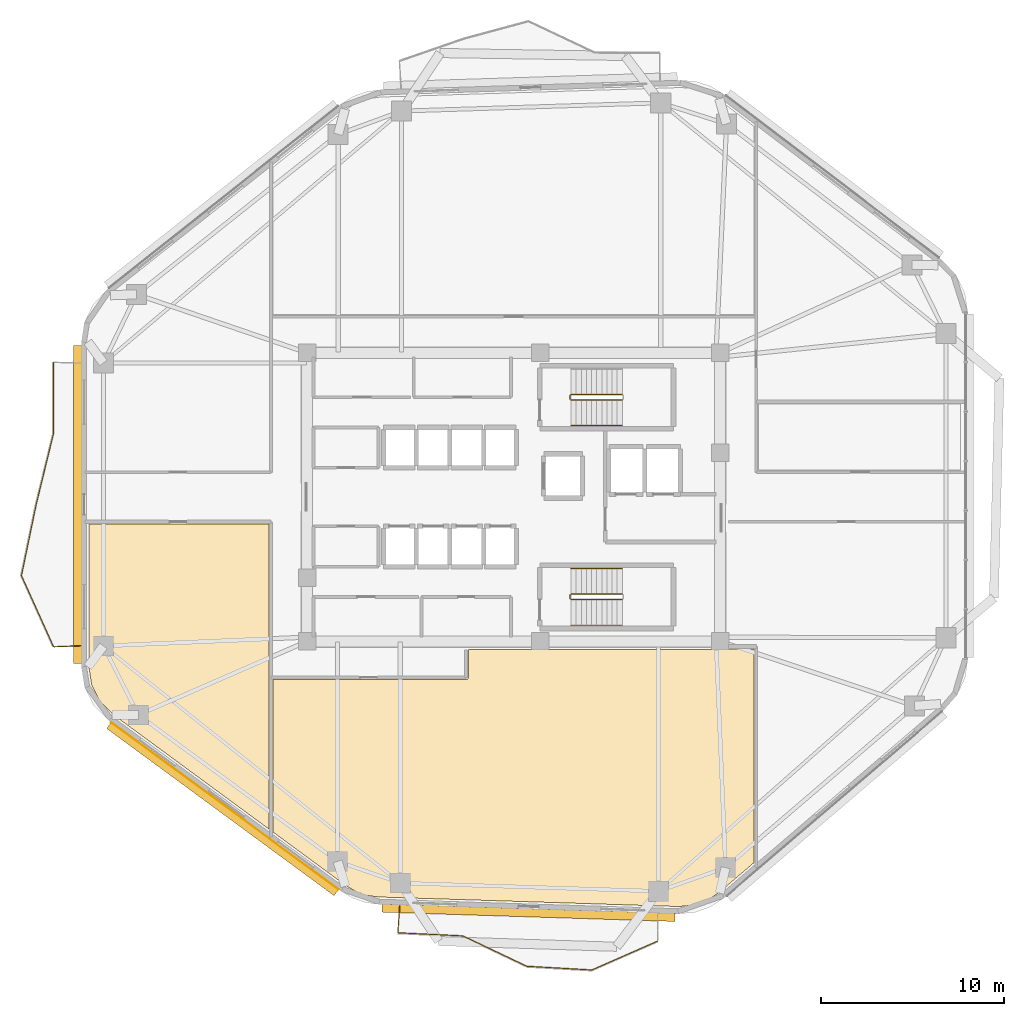
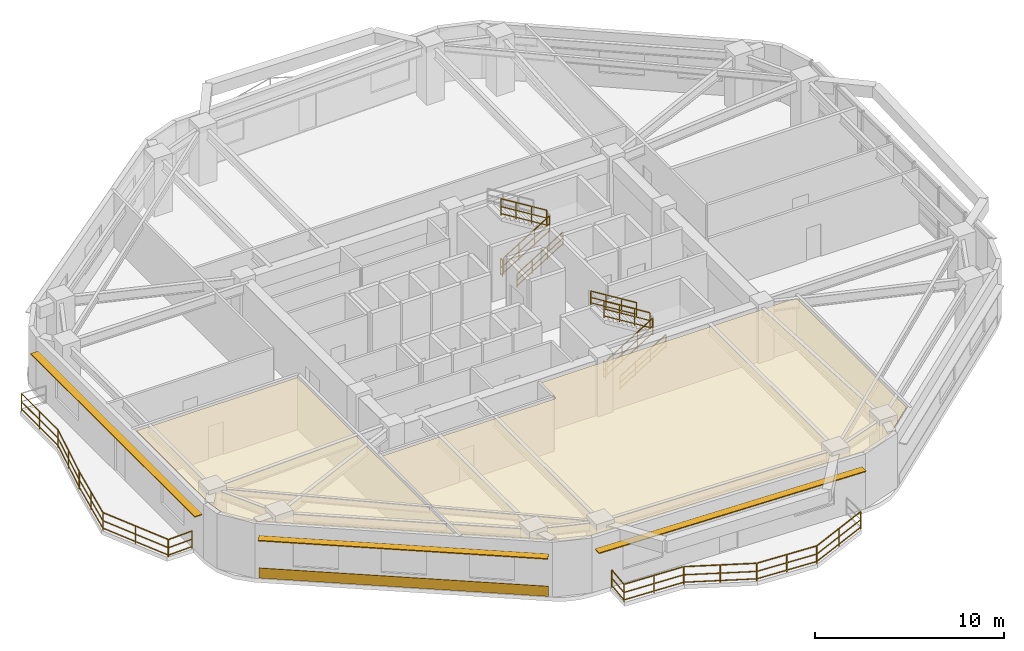
# One storey, part 11 of 13: 19 railings, 3 coverings, 3 shading devices.
"""IFC4 building model written with IfcOpenShell, lengths in metres."""

from ifc_helpers import new_model, si_unit, direction, frame, origin, origin_2d, place, context, subcontext, project, spatial, polyline, rectangle, outline, extrude, material, layer, layer_set, type_object, element, save


model = new_model("IFC4")

# Units and contexts
model_context = context("Model", 3, precision=1e-05, world=origin(), true_north=direction((0.0, 1.0)))
body_context = subcontext(model_context, "Body", "Model", "MODEL_VIEW")
ifc_project = project(units=[si_unit("LENGTHUNIT", "METRE"), si_unit("AREAUNIT", "SQUARE_METRE"), si_unit("VOLUMEUNIT", "CUBIC_METRE"), si_unit("PLANEANGLEUNIT", "RADIAN"), si_unit("MASSUNIT", "GRAM", prefix="KILO")], contexts=[model_context])

# Site, building, storey
site_placement = place(None, origin())
site = spatial("IfcSite", under=ifc_project, at=site_placement, CompositionType="ELEMENT")
building_placement = place(site_placement, origin())
building = spatial("IfcBuilding", under=site, at=building_placement, Name="Zulverin Broadcast Headquarters", CompositionType="ELEMENT")
storey_placement = place(building_placement, frame((0.0, 0.0, 155.39990234375)))
storey = spatial("IfcBuildingStorey", under=building, at=storey_placement, Name="L39", CompositionType="ELEMENT", Elevation=155.39990234375)

# Coverings
ifc_material_1 = material(Name="Perforated pale-metal acoustic baffle ceiling", Category="aluminium")
ifc_layer_1 = layer(ifc_material_1, 0.0400390625, Name="Perforated pale-metal acoustic baffle ceiling", Category="aluminium")
ifc_layer_set_1 = layer_set([ifc_layer_1], Name="Perforated pale-metal acoustic baffle ceiling")
covering_type_1 = type_object("IfcCoveringType", Name="COV-CEIL-ACOU", PredefinedType="CEILING", material=ifc_layer_set_1)
covering_1_placement = place(storey_placement, frame((0.0, 0.0, 3.360107421875)))
element("IfcCovering", 1, at=covering_1_placement, inside=storey, type_object=covering_type_1, Name="L39 Acoustic Baffle Ceiling 02", PredefinedType="CEILING", context=body_context, shape_type="SweptSolid", body=[
    extrude(outline(polyline([(48.6240234375, 16.884033203125), (48.612060546875, 16.8798828125), (48.60009765625, 16.8798828125), (34.52001953125, 16.8798828125), (34.52001953125, 15.35205078125), (34.52001953125, 15.340087890625), (34.51611328125, 15.327880859375), (34.51611328125, 15.31591796875), (34.511962890625, 15.30810546875), (34.50390625, 15.2958984375), (34.5, 15.283935546875), (34.491943359375, 15.27587890625), (34.48388671875, 15.26806640625), (34.47607421875, 15.260009765625), (34.468017578125, 15.251953125), (34.4560546875, 15.248046875), (34.444091796875, 15.239990234375), (34.43603515625, 15.236083984375), (34.424072265625, 15.236083984375), (34.412109375, 15.23193359375), (34.39990234375, 15.23193359375), (23.8720703125, 15.23193359375), (23.8720703125, 6.89990234375), (27.823974609375, 3.99609375), (28.39599609375, 3.659912109375), (29.0, 3.447998046875), (29.652099609375, 3.364013671875), (46.008056640625, 2.843994140625), (46.820068359375, 2.919921875), (47.56005859375, 3.179931640625), (48.236083984375, 3.6279296875), (50.132080078125, 5.251953125), (50.132080078125, 16.89990234375), (48.66796875, 16.89990234375), (48.656005859375, 16.89599609375), (48.64404296875, 16.887939453125), (48.635986328125, 16.884033203125), (48.6240234375, 16.884033203125)])), origin(), (0.0, 0.0, 1.0), 0.0400390625),
])
covering_2_placement = place(storey_placement, frame((0.0, 0.0, 3.360107421875)))
element("IfcCovering", 2, at=covering_2_placement, inside=storey, type_object=covering_type_1, Name="L39 Acoustic Baffle Ceiling 03", PredefinedType="CEILING", context=body_context, shape_type="SweptSolid", body=[
    extrude(outline(polyline([(14.407958984375, 14.055908203125), (15.132080078125, 13.323974609375), (23.632080078125, 7.075927734375), (23.632080078125, 23.73193359375), (13.800048828125, 23.73193359375), (13.800048828125, 15.951904296875), (13.9599609375, 14.93994140625), (14.407958984375, 14.055908203125)])), origin(), (0.0, 0.0, 1.0), 0.0400390625),
])
ifc_material_2 = material(Name="Brushed pale-aluminium rainscreen cladding", Category="aluminium")
ifc_layer_2 = layer(ifc_material_2, 0.0400390625, Name="Brushed pale-aluminium rainscreen cladding", Category="aluminium")
ifc_layer_set_2 = layer_set([ifc_layer_2], Name="Brushed pale-aluminium rainscreen cladding")
covering_type_2 = type_object("IfcCoveringType", Name="COV-CLAD-PALE", PredefinedType="CLADDING", material=ifc_layer_set_2)
covering_3_placement = place(storey_placement, frame((21.229736328125, 8.33349609375, 0.05517578125), z_axis=(0.0, 0.0, 1.0), x_axis=(0.805802206513, -0.592184771822, 0.0)))
element("IfcCovering", 3, at=covering_3_placement, inside=storey, type_object=covering_type_2, Name="L39 Brushed Pale-Aluminium Spandrel Cladding 8", PredefinedType="CLADDING", context=body_context, shape_type="SweptSolid", body=[
    extrude(rectangle(XDim=15.404541015625, YDim=0.0400390625, at=origin_2d()), origin(), (0.0, 0.0, 1.0), 0.64990234375),
])

# Railings
ifc_material_3 = material(Name="Brushed stainless steel & laminated glass balustrade", Category="steel")
railing_type_1 = type_object("IfcRailingType", Name="RL-GUARD-1150", PredefinedType="GUARDRAIL", material=ifc_material_3)
railing_1_placement = place(storey_placement, frame((11.8798828125, 32.55810546875, 0.0)))
element("IfcRailing", 4, at=railing_1_placement, inside=storey, type_object=railing_type_1, Name="L39 Vertical-Forest Balcony Guardrail BAL_W Segment 02", PredefinedType="GUARDRAIL", context=body_context, shape_type="SweptSolid", body=[
    extrude(rectangle(XDim=0.048095703125, YDim=0.048095703125, at=origin_2d()), frame((0.0, 0.0, 1.1259765625), z_axis=(0.0, -1.0, 0.0), x_axis=(1.0, 0.0, 0.0)), (0.0, 0.0, 1.0), 3.857666015625),
    extrude(rectangle(XDim=0.0419921875, YDim=0.0419921875, at=origin_2d()), frame((0.0, 0.0, 0.597900390625), z_axis=(0.0, -1.0, 0.0), x_axis=(1.0, 0.0, 0.0)), (0.0, 0.0, 1.0), 3.857666015625),
    extrude(rectangle(XDim=0.0419921875, YDim=0.0419921875, at=origin_2d()), frame((0.0, 0.0, 0.1201171875), z_axis=(0.0, -1.0, 0.0), x_axis=(1.0, 0.0, 0.0)), (0.0, 0.0, 1.0), 3.857666015625),
    extrude(rectangle(XDim=0.0419921875, YDim=0.0419921875, at=origin_2d()), origin(), (0.0, 0.0, 1.0), 1.101806640625),
    extrude(rectangle(XDim=0.0419921875, YDim=0.0419921875, at=origin_2d()), frame((0.0, -1.9287109375, 0.0)), (0.0, 0.0, 1.0), 1.101806640625),
    extrude(rectangle(XDim=0.0419921875, YDim=0.0419921875, at=origin_2d()), frame((0.0, -3.857666015625, 0.0)), (0.0, 0.0, 1.0), 1.101806640625),
])
railing_2_placement = place(storey_placement, frame((11.87646484375, 28.6708984375, 0.0)))
element("IfcRailing", 5, at=railing_2_placement, inside=storey, type_object=railing_type_1, Name="L39 Vertical-Forest Balcony Guardrail BAL_W Segment 03", PredefinedType="GUARDRAIL", context=body_context, shape_type="SweptSolid", body=[
    extrude(rectangle(XDim=0.048095703125, YDim=0.048095703125, at=origin_2d()), frame((0.0, 0.0, 1.1259765625), z_axis=(-0.237195305154, -0.97146198444, 0.0), x_axis=(0.97146198444, -0.237195305154, 0.0)), (0.0, 0.0, 1.0), 3.971923828125),
    extrude(rectangle(XDim=0.0419921875, YDim=0.0419921875, at=origin_2d()), frame((0.0, 0.0, 0.597900390625), z_axis=(-0.237195305154, -0.97146198444, 0.0), x_axis=(0.97146198444, -0.237195305154, 0.0)), (0.0, 0.0, 1.0), 3.971923828125),
    extrude(rectangle(XDim=0.0419921875, YDim=0.0419921875, at=origin_2d()), frame((0.0, 0.0, 0.1201171875), z_axis=(-0.237195305154, -0.97146198444, 0.0), x_axis=(0.97146198444, -0.237195305154, 0.0)), (0.0, 0.0, 1.0), 3.971923828125),
    extrude(rectangle(XDim=0.0419921875, YDim=0.0419921875, at=origin_2d()), origin(), (0.0, 0.0, 1.0), 1.101806640625),
    extrude(rectangle(XDim=0.0419921875, YDim=0.0419921875, at=origin_2d()), frame((-0.47119140625, -1.92919921875, 0.0)), (0.0, 0.0, 1.0), 1.101806640625),
    extrude(rectangle(XDim=0.0419921875, YDim=0.0419921875, at=origin_2d()), frame((-0.942138671875, -3.858642578125, 0.0)), (0.0, 0.0, 1.0), 1.101806640625),
])
railing_3_placement = place(storey_placement, frame((10.927734375, 24.782958984375, 0.0)))
element("IfcRailing", 6, at=railing_3_placement, inside=storey, type_object=railing_type_1, Name="L39 Vertical-Forest Balcony Guardrail BAL_W Segment 04", PredefinedType="GUARDRAIL", context=body_context, shape_type="SweptSolid", body=[
    extrude(rectangle(XDim=0.048095703125, YDim=0.048095703125, at=origin_2d()), frame((0.0, 0.0, 1.1259765625), z_axis=(-0.202724430655, -0.979235827171, 0.0), x_axis=(0.979235827171, -0.202724430655, 0.0)), (0.0, 0.0, 1.0), 3.9404296875),
    extrude(rectangle(XDim=0.0419921875, YDim=0.0419921875, at=origin_2d()), frame((0.0, 0.0, 0.597900390625), z_axis=(-0.202724430655, -0.979235827171, 0.0), x_axis=(0.979235827171, -0.202724430655, 0.0)), (0.0, 0.0, 1.0), 3.9404296875),
    extrude(rectangle(XDim=0.0419921875, YDim=0.0419921875, at=origin_2d()), frame((0.0, 0.0, 0.1201171875), z_axis=(-0.202724430655, -0.979235827171, 0.0), x_axis=(0.979235827171, -0.202724430655, 0.0)), (0.0, 0.0, 1.0), 3.9404296875),
    extrude(rectangle(XDim=0.0419921875, YDim=0.0419921875, at=origin_2d()), origin(), (0.0, 0.0, 1.0), 1.101806640625),
    extrude(rectangle(XDim=0.0419921875, YDim=0.0419921875, at=origin_2d()), frame((-0.3994140625, -1.92919921875, 0.0)), (0.0, 0.0, 1.0), 1.101806640625),
    extrude(rectangle(XDim=0.0419921875, YDim=0.0419921875, at=origin_2d()), frame((-0.798828125, -3.858642578125, 0.0)), (0.0, 0.0, 1.0), 1.101806640625),
])
railing_4_placement = place(storey_placement, frame((10.132080078125, 20.89599609375, 0.0)))
element("IfcRailing", 7, at=railing_4_placement, inside=storey, type_object=railing_type_1, Name="L39 Vertical-Forest Balcony Guardrail BAL_W Segment 05", PredefinedType="GUARDRAIL", context=body_context, shape_type="SweptSolid", body=[
    extrude(rectangle(XDim=0.048095703125, YDim=0.048095703125, at=origin_2d()), frame((0.0, 0.0, 1.1259765625), z_axis=(0.41125615734, -0.911519814952, 0.0), x_axis=(0.911519814952, 0.41125615734, 0.0)), (0.0, 0.0, 1.0), 4.235107421875),
    extrude(rectangle(XDim=0.0419921875, YDim=0.0419921875, at=origin_2d()), frame((0.0, 0.0, 0.597900390625), z_axis=(0.41125615734, -0.911519814952, 0.0), x_axis=(0.911519814952, 0.41125615734, 0.0)), (0.0, 0.0, 1.0), 4.235107421875),
    extrude(rectangle(XDim=0.0419921875, YDim=0.0419921875, at=origin_2d()), frame((0.0, 0.0, 0.1201171875), z_axis=(0.41125615734, -0.911519814952, 0.0), x_axis=(0.911519814952, 0.41125615734, 0.0)), (0.0, 0.0, 1.0), 4.235107421875),
    extrude(rectangle(XDim=0.0419921875, YDim=0.0419921875, at=origin_2d()), origin(), (0.0, 0.0, 1.0), 1.101806640625),
    extrude(rectangle(XDim=0.0419921875, YDim=0.0419921875, at=origin_2d()), frame((0.870849609375, -1.93017578125, 0.0)), (0.0, 0.0, 1.0), 1.101806640625),
    extrude(rectangle(XDim=0.0419921875, YDim=0.0419921875, at=origin_2d()), frame((1.74169921875, -3.8603515625, 0.0)), (0.0, 0.0, 1.0), 1.101806640625),
])
railing_5_placement = place(storey_placement, frame((11.89501953125, 17.0224609375, 0.0)))
element("IfcRailing", 8, at=railing_5_placement, inside=storey, type_object=railing_type_1, Name="L39 Vertical-Forest Balcony Guardrail BAL_W Segment 06", PredefinedType="GUARDRAIL", context=body_context, shape_type="SweptSolid", body=[
    extrude(rectangle(XDim=0.048095703125, YDim=0.048095703125, at=origin_2d()), frame((0.0, 0.0, 1.1259765625), z_axis=(0.999181155166, 0.040460093435, 0.0), x_axis=(-0.040460093435, 0.999181155166, 0.0)), (0.0, 0.0, 1.0), 1.46630859375),
    extrude(rectangle(XDim=0.0419921875, YDim=0.0419921875, at=origin_2d()), frame((0.0, 0.0, 0.597900390625), z_axis=(0.999181155166, 0.040460093435, 0.0), x_axis=(-0.040460093435, 0.999181155166, 0.0)), (0.0, 0.0, 1.0), 1.46630859375),
    extrude(rectangle(XDim=0.0419921875, YDim=0.0419921875, at=origin_2d()), frame((0.0, 0.0, 0.1201171875), z_axis=(0.999181155166, 0.040460093435, 0.0), x_axis=(-0.040460093435, 0.999181155166, 0.0)), (0.0, 0.0, 1.0), 1.46630859375),
    extrude(rectangle(XDim=0.0419921875, YDim=0.0419921875, at=origin_2d()), origin(), (0.0, 0.0, 1.0), 1.101806640625),
    extrude(rectangle(XDim=0.0419921875, YDim=0.0419921875, at=origin_2d()), frame((1.465087890625, 0.059326171875, 0.0)), (0.0, 0.0, 1.0), 1.101806640625),
])
railing_6_placement = place(storey_placement, frame((30.779296875, 2.8876953125, 0.0)))
element("IfcRailing", 9, at=railing_6_placement, inside=storey, type_object=railing_type_1, Name="L39 Vertical-Forest Balcony Guardrail BAL_S Segment 01", PredefinedType="GUARDRAIL", context=body_context, shape_type="SweptSolid", body=[
    extrude(rectangle(XDim=0.048095703125, YDim=0.048095703125, at=origin_2d()), frame((0.0, 0.0, 1.1259765625), z_axis=(-0.072276661537, -0.997384621997, 0.0), x_axis=(0.997384621997, -0.072276661537, 0.0)), (0.0, 0.0, 1.0), 1.466064453125),
    extrude(rectangle(XDim=0.0419921875, YDim=0.0419921875, at=origin_2d()), frame((0.0, 0.0, 0.597900390625), z_axis=(-0.072276661537, -0.997384621997, 0.0), x_axis=(0.997384621997, -0.072276661537, 0.0)), (0.0, 0.0, 1.0), 1.466064453125),
    extrude(rectangle(XDim=0.0419921875, YDim=0.0419921875, at=origin_2d()), frame((0.0, 0.0, 0.1201171875), z_axis=(-0.072276661537, -0.997384621997, 0.0), x_axis=(0.997384621997, -0.072276661537, 0.0)), (0.0, 0.0, 1.0), 1.466064453125),
    extrude(rectangle(XDim=0.0419921875, YDim=0.0419921875, at=origin_2d()), origin(), (0.0, 0.0, 1.0), 1.101806640625),
    extrude(rectangle(XDim=0.0419921875, YDim=0.0419921875, at=origin_2d()), frame((-0.10595703125, -1.462158203125, 0.0)), (0.0, 0.0, 1.0), 1.101806640625),
])
railing_7_placement = place(storey_placement, frame((30.687255859375, 1.409912109375, 0.0)))
element("IfcRailing", 10, at=railing_7_placement, inside=storey, type_object=railing_type_1, Name="L39 Vertical-Forest Balcony Guardrail BAL_S Segment 02", PredefinedType="GUARDRAIL", context=body_context, shape_type="SweptSolid", body=[
    extrude(rectangle(XDim=0.048095703125, YDim=0.048095703125, at=origin_2d()), frame((0.0, 0.0, 1.1259765625), z_axis=(0.998855874014, -0.047821992303, 0.0), x_axis=(0.047821992303, 0.998855874014, 0.0)), (0.0, 0.0, 1.0), 3.522705078125),
    extrude(rectangle(XDim=0.0419921875, YDim=0.0419921875, at=origin_2d()), frame((0.0, 0.0, 0.597900390625), z_axis=(0.998855874014, -0.047821992303, 0.0), x_axis=(0.047821992303, 0.998855874014, 0.0)), (0.0, 0.0, 1.0), 3.522705078125),
    extrude(rectangle(XDim=0.0419921875, YDim=0.0419921875, at=origin_2d()), frame((0.0, 0.0, 0.1201171875), z_axis=(0.998855874014, -0.047821992303, 0.0), x_axis=(0.047821992303, 0.998855874014, 0.0)), (0.0, 0.0, 1.0), 3.522705078125),
    extrude(rectangle(XDim=0.0419921875, YDim=0.0419921875, at=origin_2d()), origin(), (0.0, 0.0, 1.0), 1.101806640625),
    extrude(rectangle(XDim=0.0419921875, YDim=0.0419921875, at=origin_2d()), frame((1.75927734375, -0.084228515625, 0.0)), (0.0, 0.0, 1.0), 1.101806640625),
    extrude(rectangle(XDim=0.0419921875, YDim=0.0419921875, at=origin_2d()), frame((3.5185546875, -0.16845703125, 0.0)), (0.0, 0.0, 1.0), 1.101806640625),
])
railing_8_placement = place(storey_placement, frame((34.234375, 1.234375, 0.0)))
element("IfcRailing", 11, at=railing_8_placement, inside=storey, type_object=railing_type_1, Name="L39 Vertical-Forest Balcony Guardrail BAL_S Segment 03", PredefinedType="GUARDRAIL", context=body_context, shape_type="SweptSolid", body=[
    extrude(rectangle(XDim=0.048095703125, YDim=0.048095703125, at=origin_2d()), frame((0.0, 0.0, 1.1259765625), z_axis=(0.903652479347, -0.428266501807, 0.0), x_axis=(0.428266501807, 0.903652479347, 0.0)), (0.0, 0.0, 1.0), 3.844482421875),
    extrude(rectangle(XDim=0.0419921875, YDim=0.0419921875, at=origin_2d()), frame((0.0, 0.0, 0.597900390625), z_axis=(0.903652479347, -0.428266501807, 0.0), x_axis=(0.428266501807, 0.903652479347, 0.0)), (0.0, 0.0, 1.0), 3.844482421875),
    extrude(rectangle(XDim=0.0419921875, YDim=0.0419921875, at=origin_2d()), frame((0.0, 0.0, 0.1201171875), z_axis=(0.903652479347, -0.428266501807, 0.0), x_axis=(0.428266501807, 0.903652479347, 0.0)), (0.0, 0.0, 1.0), 3.844482421875),
    extrude(rectangle(XDim=0.0419921875, YDim=0.0419921875, at=origin_2d()), origin(), (0.0, 0.0, 1.0), 1.101806640625),
    extrude(rectangle(XDim=0.0419921875, YDim=0.0419921875, at=origin_2d()), frame((1.737060546875, -0.8232421875, 0.0)), (0.0, 0.0, 1.0), 1.101806640625),
    extrude(rectangle(XDim=0.0419921875, YDim=0.0419921875, at=origin_2d()), frame((3.47412109375, -1.646484375, 0.0)), (0.0, 0.0, 1.0), 1.101806640625),
])
railing_9_placement = place(storey_placement, frame((37.737060546875, -0.419189453125, 0.0)))
element("IfcRailing", 12, at=railing_9_placement, inside=storey, type_object=railing_type_1, Name="L39 Vertical-Forest Balcony Guardrail BAL_S Segment 04", PredefinedType="GUARDRAIL", context=body_context, shape_type="SweptSolid", body=[
    extrude(rectangle(XDim=0.048095703125, YDim=0.048095703125, at=origin_2d()), frame((0.0, 0.0, 1.1259765625), z_axis=(0.998384165111, -0.056824808454, 0.0), x_axis=(0.056824808454, 0.998384165111, 0.0)), (0.0, 0.0, 1.0), 3.52294921875),
    extrude(rectangle(XDim=0.0419921875, YDim=0.0419921875, at=origin_2d()), frame((0.0, 0.0, 0.597900390625), z_axis=(0.998384165111, -0.056824808454, 0.0), x_axis=(0.056824808454, 0.998384165111, 0.0)), (0.0, 0.0, 1.0), 3.52294921875),
    extrude(rectangle(XDim=0.0419921875, YDim=0.0419921875, at=origin_2d()), frame((0.0, 0.0, 0.1201171875), z_axis=(0.998384165111, -0.056824808454, 0.0), x_axis=(0.056824808454, 0.998384165111, 0.0)), (0.0, 0.0, 1.0), 3.52294921875),
    extrude(rectangle(XDim=0.0419921875, YDim=0.0419921875, at=origin_2d()), origin(), (0.0, 0.0, 1.0), 1.101806640625),
    extrude(rectangle(XDim=0.0419921875, YDim=0.0419921875, at=origin_2d()), frame((1.7587890625, -0.10009765625, 0.0)), (0.0, 0.0, 1.0), 1.101806640625),
    extrude(rectangle(XDim=0.0419921875, YDim=0.0419921875, at=origin_2d()), frame((3.517333984375, -0.2001953125, 0.0)), (0.0, 0.0, 1.0), 1.101806640625),
])
railing_10_placement = place(storey_placement, frame((41.283203125, -0.614501953125, 0.0)))
element("IfcRailing", 13, at=railing_10_placement, inside=storey, type_object=railing_type_1, Name="L39 Vertical-Forest Balcony Guardrail BAL_S Segment 05", PredefinedType="GUARDRAIL", context=body_context, shape_type="SweptSolid", body=[
    extrude(rectangle(XDim=0.048095703125, YDim=0.048095703125, at=origin_2d()), frame((0.0, 0.0, 1.1259765625), z_axis=(0.915798293661, 0.401638500804, 0.0), x_axis=(-0.401638500804, 0.915798293661, 0.0)), (0.0, 0.0, 1.0), 3.905517578125),
    extrude(rectangle(XDim=0.0419921875, YDim=0.0419921875, at=origin_2d()), frame((0.0, 0.0, 0.597900390625), z_axis=(0.915798293661, 0.401638500804, 0.0), x_axis=(-0.401638500804, 0.915798293661, 0.0)), (0.0, 0.0, 1.0), 3.905517578125),
    extrude(rectangle(XDim=0.0419921875, YDim=0.0419921875, at=origin_2d()), frame((0.0, 0.0, 0.1201171875), z_axis=(0.915798293661, 0.401638500804, 0.0), x_axis=(-0.401638500804, 0.915798293661, 0.0)), (0.0, 0.0, 1.0), 3.905517578125),
    extrude(rectangle(XDim=0.0419921875, YDim=0.0419921875, at=origin_2d()), origin(), (0.0, 0.0, 1.0), 1.101806640625),
    extrude(rectangle(XDim=0.0419921875, YDim=0.0419921875, at=origin_2d()), frame((1.788330078125, 0.7841796875, 0.0)), (0.0, 0.0, 1.0), 1.101806640625),
    extrude(rectangle(XDim=0.0419921875, YDim=0.0419921875, at=origin_2d()), frame((3.57666015625, 1.568603515625, 0.0)), (0.0, 0.0, 1.0), 1.101806640625),
])
ifc_material_4 = material(Name="Painted galvanized steel tubular guardrail S355JR", Category="steel")
railing_type_2 = type_object("IfcRailingType", Name="RL-ST-GUARD", PredefinedType="GUARDRAIL", material=ifc_material_4)
railing_11_placement = place(storey_placement, frame((40.1298828125, 30.5, 0.1728515625)))
element("IfcRailing", 14, at=railing_11_placement, inside=storey, type_object=railing_type_2, Name="L39 ST-1 stair guard 1", PredefinedType="GUARDRAIL", context=body_context, shape_type="SweptSolid", body=[
    extrude(rectangle(XDim=0.048095703125, YDim=0.048095703125, at=origin_2d()), frame((0.0, 0.0, 1.076171875), z_axis=(0.851089632645, 0.0, 0.525020415988), x_axis=(0.0, 1.0, 0.0)), (0.0, 0.0, 1.0), 3.2900390625),
    extrude(rectangle(XDim=0.0419921875, YDim=0.0419921875, at=origin_2d()), frame((0.0, 0.0, 0.572021484375), z_axis=(0.851089632645, 0.0, 0.525020415988), x_axis=(0.0, 1.0, 0.0)), (0.0, 0.0, 1.0), 3.2900390625),
    extrude(rectangle(XDim=0.0419921875, YDim=0.0419921875, at=origin_2d()), frame((0.0, 0.0, 0.1201171875), z_axis=(0.851089632645, 0.0, 0.525020415988), x_axis=(0.0, 1.0, 0.0)), (0.0, 0.0, 1.0), 3.2900390625),
    extrude(rectangle(XDim=0.0419921875, YDim=0.0419921875, at=origin_2d()), origin(), (0.0, 0.0, 1.0), 1.052001953125),
    extrude(rectangle(XDim=0.0419921875, YDim=0.0419921875, at=origin_2d()), frame((0.933349609375, 0.0, 0.57568359375)), (0.0, 0.0, 1.0), 1.052001953125),
    extrude(rectangle(XDim=0.0419921875, YDim=0.0419921875, at=origin_2d()), frame((1.86669921875, 0.0, 1.151611328125)), (0.0, 0.0, 1.0), 1.052001953125),
    extrude(rectangle(XDim=0.0419921875, YDim=0.0419921875, at=origin_2d()), frame((2.800048828125, 0.0, 1.727294921875)), (0.0, 0.0, 1.0), 1.052001953125),
])
railing_12_placement = place(storey_placement, frame((42.929931640625, 30.800048828125, 2.07275390625)))
element("IfcRailing", 15, at=railing_12_placement, inside=storey, type_object=railing_type_2, Name="L39 ST-1 stair guard 3", PredefinedType="GUARDRAIL", context=body_context, shape_type="SweptSolid", body=[
    extrude(rectangle(XDim=0.048095703125, YDim=0.048095703125, at=origin_2d()), frame((0.0, 0.0, 1.076171875), z_axis=(-0.851089632645, 0.0, 0.525020415988), x_axis=(0.0, -1.0, 0.0)), (0.0, 0.0, 1.0), 3.2900390625),
    extrude(rectangle(XDim=0.0419921875, YDim=0.0419921875, at=origin_2d()), frame((0.0, 0.0, 0.572021484375), z_axis=(-0.851089632645, 0.0, 0.525020415988), x_axis=(0.0, -1.0, 0.0)), (0.0, 0.0, 1.0), 3.2900390625),
    extrude(rectangle(XDim=0.0419921875, YDim=0.0419921875, at=origin_2d()), frame((0.0, 0.0, 0.1201171875), z_axis=(-0.851089632645, 0.0, 0.525020415988), x_axis=(0.0, -1.0, 0.0)), (0.0, 0.0, 1.0), 3.2900390625),
    extrude(rectangle(XDim=0.0419921875, YDim=0.0419921875, at=origin_2d()), origin(), (0.0, 0.0, 1.0), 1.052001953125),
    extrude(rectangle(XDim=0.0419921875, YDim=0.0419921875, at=origin_2d()), frame((-0.933349609375, 0.0, 0.57568359375)), (0.0, 0.0, 1.0), 1.052001953125),
    extrude(rectangle(XDim=0.0419921875, YDim=0.0419921875, at=origin_2d()), frame((-1.86669921875, 0.0, 1.151611328125)), (0.0, 0.0, 1.0), 1.052001953125),
    extrude(rectangle(XDim=0.0419921875, YDim=0.0419921875, at=origin_2d()), frame((-2.800048828125, 0.0, 1.727294921875)), (0.0, 0.0, 1.0), 1.052001953125),
])
railing_13_placement = place(storey_placement, frame((40.080078125, 30.550048828125, 0.0)))
element("IfcRailing", 16, at=railing_13_placement, inside=storey, type_object=railing_type_2, Name="L39 ST-1 stair guard 4", PredefinedType="GUARDRAIL", context=body_context, shape_type="SweptSolid", body=[
    extrude(rectangle(XDim=0.048095703125, YDim=0.048095703125, at=origin_2d()), frame((0.0, 0.0, 1.076171875), z_axis=(0.0, 1.0, 0.0), x_axis=(-1.0, 0.0, 0.0)), (0.0, 0.0, 1.0), 0.199951171875),
    extrude(rectangle(XDim=0.0419921875, YDim=0.0419921875, at=origin_2d()), frame((0.0, 0.0, 0.572021484375), z_axis=(0.0, 1.0, 0.0), x_axis=(-1.0, 0.0, 0.0)), (0.0, 0.0, 1.0), 0.199951171875),
    extrude(rectangle(XDim=0.0419921875, YDim=0.0419921875, at=origin_2d()), frame((0.0, 0.0, 0.1201171875), z_axis=(0.0, 1.0, 0.0), x_axis=(-1.0, 0.0, 0.0)), (0.0, 0.0, 1.0), 0.199951171875),
    extrude(rectangle(XDim=0.0419921875, YDim=0.0419921875, at=origin_2d()), origin(), (0.0, 0.0, 1.0), 1.052001953125),
    extrude(rectangle(XDim=0.0419921875, YDim=0.0419921875, at=origin_2d()), frame((0.0, 0.199951171875, 0.0)), (0.0, 0.0, 1.0), 1.052001953125),
])
railing_14_placement = place(storey_placement, frame((40.1298828125, 19.60009765625, 0.1728515625)))
element("IfcRailing", 17, at=railing_14_placement, inside=storey, type_object=railing_type_2, Name="L39 ST-2 stair guard 1", PredefinedType="GUARDRAIL", context=body_context, shape_type="SweptSolid", body=[
    extrude(rectangle(XDim=0.048095703125, YDim=0.048095703125, at=origin_2d()), frame((0.0, 0.0, 1.076171875), z_axis=(0.851089632645, 0.0, 0.525020415988), x_axis=(0.0, 1.0, 0.0)), (0.0, 0.0, 1.0), 3.2900390625),
    extrude(rectangle(XDim=0.0419921875, YDim=0.0419921875, at=origin_2d()), frame((0.0, 0.0, 0.572021484375), z_axis=(0.851089632645, 0.0, 0.525020415988), x_axis=(0.0, 1.0, 0.0)), (0.0, 0.0, 1.0), 3.2900390625),
    extrude(rectangle(XDim=0.0419921875, YDim=0.0419921875, at=origin_2d()), frame((0.0, 0.0, 0.1201171875), z_axis=(0.851089632645, 0.0, 0.525020415988), x_axis=(0.0, 1.0, 0.0)), (0.0, 0.0, 1.0), 3.2900390625),
    extrude(rectangle(XDim=0.0419921875, YDim=0.0419921875, at=origin_2d()), origin(), (0.0, 0.0, 1.0), 1.052001953125),
    extrude(rectangle(XDim=0.0419921875, YDim=0.0419921875, at=origin_2d()), frame((0.933349609375, 0.0, 0.57568359375)), (0.0, 0.0, 1.0), 1.052001953125),
    extrude(rectangle(XDim=0.0419921875, YDim=0.0419921875, at=origin_2d()), frame((1.86669921875, 0.0, 1.151611328125)), (0.0, 0.0, 1.0), 1.052001953125),
    extrude(rectangle(XDim=0.0419921875, YDim=0.0419921875, at=origin_2d()), frame((2.800048828125, 0.0, 1.727294921875)), (0.0, 0.0, 1.0), 1.052001953125),
])
railing_15_placement = place(storey_placement, frame((42.929931640625, 19.89990234375, 2.07275390625)))
element("IfcRailing", 18, at=railing_15_placement, inside=storey, type_object=railing_type_2, Name="L39 ST-2 stair guard 3", PredefinedType="GUARDRAIL", context=body_context, shape_type="SweptSolid", body=[
    extrude(rectangle(XDim=0.048095703125, YDim=0.048095703125, at=origin_2d()), frame((0.0, 0.0, 1.076171875), z_axis=(-0.851089632645, 0.0, 0.525020415988), x_axis=(0.0, -1.0, 0.0)), (0.0, 0.0, 1.0), 3.2900390625),
    extrude(rectangle(XDim=0.0419921875, YDim=0.0419921875, at=origin_2d()), frame((0.0, 0.0, 0.572021484375), z_axis=(-0.851089632645, 0.0, 0.525020415988), x_axis=(0.0, -1.0, 0.0)), (0.0, 0.0, 1.0), 3.2900390625),
    extrude(rectangle(XDim=0.0419921875, YDim=0.0419921875, at=origin_2d()), frame((0.0, 0.0, 0.1201171875), z_axis=(-0.851089632645, 0.0, 0.525020415988), x_axis=(0.0, -1.0, 0.0)), (0.0, 0.0, 1.0), 3.2900390625),
    extrude(rectangle(XDim=0.0419921875, YDim=0.0419921875, at=origin_2d()), origin(), (0.0, 0.0, 1.0), 1.052001953125),
    extrude(rectangle(XDim=0.0419921875, YDim=0.0419921875, at=origin_2d()), frame((-0.933349609375, 0.0, 0.57568359375)), (0.0, 0.0, 1.0), 1.052001953125),
    extrude(rectangle(XDim=0.0419921875, YDim=0.0419921875, at=origin_2d()), frame((-1.86669921875, 0.0, 1.151611328125)), (0.0, 0.0, 1.0), 1.052001953125),
    extrude(rectangle(XDim=0.0419921875, YDim=0.0419921875, at=origin_2d()), frame((-2.800048828125, 0.0, 1.727294921875)), (0.0, 0.0, 1.0), 1.052001953125),
])
railing_16_placement = place(storey_placement, frame((40.080078125, 19.64990234375, 0.0)))
element("IfcRailing", 19, at=railing_16_placement, inside=storey, type_object=railing_type_2, Name="L39 ST-2 stair guard 4", PredefinedType="GUARDRAIL", context=body_context, shape_type="SweptSolid", body=[
    extrude(rectangle(XDim=0.048095703125, YDim=0.048095703125, at=origin_2d()), frame((0.0, 0.0, 1.076171875), z_axis=(0.0, 1.0, 0.0), x_axis=(-1.0, 0.0, 0.0)), (0.0, 0.0, 1.0), 0.2001953125),
    extrude(rectangle(XDim=0.0419921875, YDim=0.0419921875, at=origin_2d()), frame((0.0, 0.0, 0.572021484375), z_axis=(0.0, 1.0, 0.0), x_axis=(-1.0, 0.0, 0.0)), (0.0, 0.0, 1.0), 0.2001953125),
    extrude(rectangle(XDim=0.0419921875, YDim=0.0419921875, at=origin_2d()), frame((0.0, 0.0, 0.1201171875), z_axis=(0.0, 1.0, 0.0), x_axis=(-1.0, 0.0, 0.0)), (0.0, 0.0, 1.0), 0.2001953125),
    extrude(rectangle(XDim=0.0419921875, YDim=0.0419921875, at=origin_2d()), origin(), (0.0, 0.0, 1.0), 1.052001953125),
    extrude(rectangle(XDim=0.0419921875, YDim=0.0419921875, at=origin_2d()), frame((0.0, 0.2001953125, 0.0)), (0.0, 0.0, 1.0), 1.052001953125),
])
ifc_material_5 = material(Name="Brushed stainless steel 48 mm handrail", Category="steel")
railing_type_3 = type_object("IfcRailingType", Name="RL-ST-HAND", PredefinedType="HANDRAIL", material=ifc_material_5)
for number, where, name in (
    (20, (40.1298828125, 29.10009765625, 0.1728515625), "L39 ST-1 stair handrail 1"),
    (21, (40.1298828125, 18.199951171875, 0.1728515625), "L39 ST-2 stair handrail 1"),
):
    element("IfcRailing", number, at=place(storey_placement, frame(where)), inside=storey, type_object=railing_type_3, Name=name, PredefinedType="HANDRAIL", context=body_context, shape_type="SweptSolid", body=[
        extrude(rectangle(XDim=0.048095703125, YDim=0.048095703125, at=origin_2d()), frame((0.0, 0.0, 0.8759765625), z_axis=(0.851089632645, 0.0, 0.525020415988), x_axis=(0.0, 1.0, 0.0)), (0.0, 0.0, 1.0), 3.2900390625),
        extrude(rectangle(XDim=0.0419921875, YDim=0.0419921875, at=origin_2d()), frame((0.0, 0.0, 0.468017578125), z_axis=(0.851089632645, 0.0, 0.525020415988), x_axis=(0.0, 1.0, 0.0)), (0.0, 0.0, 1.0), 3.2900390625),
        extrude(rectangle(XDim=0.0419921875, YDim=0.0419921875, at=origin_2d()), frame((0.0, 0.0, 0.1201171875), z_axis=(0.851089632645, 0.0, 0.525020415988), x_axis=(0.0, 1.0, 0.0)), (0.0, 0.0, 1.0), 3.2900390625),
        extrude(rectangle(XDim=0.0419921875, YDim=0.0419921875, at=origin_2d()), origin(), (0.0, 0.0, 1.0), 0.851806640625),
        extrude(rectangle(XDim=0.0419921875, YDim=0.0419921875, at=origin_2d()), frame((0.933349609375, 0.0, 0.57568359375)), (0.0, 0.0, 1.0), 0.851806640625),
        extrude(rectangle(XDim=0.0419921875, YDim=0.0419921875, at=origin_2d()), frame((1.86669921875, 0.0, 1.151611328125)), (0.0, 0.0, 1.0), 0.851806640625),
        extrude(rectangle(XDim=0.0419921875, YDim=0.0419921875, at=origin_2d()), frame((2.800048828125, 0.0, 1.727294921875)), (0.0, 0.0, 1.0), 0.851806640625),
    ])
railing_17_placement = place(storey_placement, frame((42.929931640625, 21.300048828125, 2.07275390625)))
element("IfcRailing", 22, at=railing_17_placement, inside=storey, type_object=railing_type_3, Name="L39 ST-2 stair handrail 2", PredefinedType="HANDRAIL", context=body_context, shape_type="SweptSolid", body=[
    extrude(rectangle(XDim=0.048095703125, YDim=0.048095703125, at=origin_2d()), frame((0.0, 0.0, 0.8759765625), z_axis=(-0.851089632645, 0.0, 0.525020415988), x_axis=(0.0, -1.0, 0.0)), (0.0, 0.0, 1.0), 3.2900390625),
    extrude(rectangle(XDim=0.0419921875, YDim=0.0419921875, at=origin_2d()), frame((0.0, 0.0, 0.468017578125), z_axis=(-0.851089632645, 0.0, 0.525020415988), x_axis=(0.0, -1.0, 0.0)), (0.0, 0.0, 1.0), 3.2900390625),
    extrude(rectangle(XDim=0.0419921875, YDim=0.0419921875, at=origin_2d()), frame((0.0, 0.0, 0.1201171875), z_axis=(-0.851089632645, 0.0, 0.525020415988), x_axis=(0.0, -1.0, 0.0)), (0.0, 0.0, 1.0), 3.2900390625),
    extrude(rectangle(XDim=0.0419921875, YDim=0.0419921875, at=origin_2d()), origin(), (0.0, 0.0, 1.0), 0.851806640625),
    extrude(rectangle(XDim=0.0419921875, YDim=0.0419921875, at=origin_2d()), frame((-0.933349609375, 0.0, 0.57568359375)), (0.0, 0.0, 1.0), 0.851806640625),
    extrude(rectangle(XDim=0.0419921875, YDim=0.0419921875, at=origin_2d()), frame((-1.86669921875, 0.0, 1.151611328125)), (0.0, 0.0, 1.0), 0.851806640625),
    extrude(rectangle(XDim=0.0419921875, YDim=0.0419921875, at=origin_2d()), frame((-2.800048828125, 0.0, 1.727294921875)), (0.0, 0.0, 1.0), 0.851806640625),
])

# Shading devices
ifc_material_6 = material(Name="Anodized pale-metal aluminium sunshade", Category="aluminium")
ifc_layer_3 = layer(ifc_material_6, 0.06005859375, Name="Anodized pale-metal aluminium sunshade", Category="aluminium")
ifc_layer_set_3 = layer_set([ifc_layer_3], Name="Anodized pale-metal aluminium sunshade")
shading_device_type = type_object("IfcShadingDeviceType", Name="SS-01_PALE_METAL_ALUMINIUM_SUNSHADE", PredefinedType="USERDEFINED", material=ifc_layer_set_3)
shading_device_1_placement = place(storey_placement, frame((37.814697265625, 2.504638671875, 2.7099609375), z_axis=(0.0, 0.0, 1.0), x_axis=(0.999497141269, -0.031709061709, 0.0)))
element("IfcShadingDevice", 23, at=shading_device_1_placement, inside=storey, type_object=shading_device_type, Name="L39 Horizontal Pale-Metal Sunshade Band 1", ObjectType="SUNSHADE", PredefinedType="USERDEFINED", context=body_context, shape_type="SweptSolid", body=[
    extrude(rectangle(XDim=16.00830078125, YDim=0.449951171875, at=origin_2d()), origin(), (0.0, 0.0, 1.0), 0.06005859375),
])
shading_device_2_placement = place(storey_placement, frame((13.199951171875, 24.797607421875, 2.7099609375), z_axis=(0.0, 0.0, 1.0), x_axis=(0.0, -1.0, 0.0)))
element("IfcShadingDevice", 24, at=shading_device_2_placement, inside=storey, type_object=shading_device_type, Name="L39 Horizontal Pale-Metal Sunshade Band 7", ObjectType="SUNSHADE", PredefinedType="USERDEFINED", context=body_context, shape_type="SweptSolid", body=[
    extrude(rectangle(XDim=17.351318359375, YDim=0.449951171875, at=origin_2d()), origin(), (0.0, 0.0, 1.0), 0.06005859375),
])
shading_device_3_placement = place(storey_placement, frame((21.1171875, 8.180419921875, 2.7099609375), z_axis=(0.0, 0.0, 1.0), x_axis=(0.805802206513, -0.592184771822, 0.0)))
element("IfcShadingDevice", 25, at=shading_device_3_placement, inside=storey, type_object=shading_device_type, Name="L39 Horizontal Pale-Metal Sunshade Band 8", ObjectType="SUNSHADE", PredefinedType="USERDEFINED", context=body_context, shape_type="SweptSolid", body=[
    extrude(rectangle(XDim=15.404541015625, YDim=0.449951171875, at=origin_2d()), origin(), (0.0, 0.0, 1.0), 0.06005859375),
])

save(model, "model.ifc")
